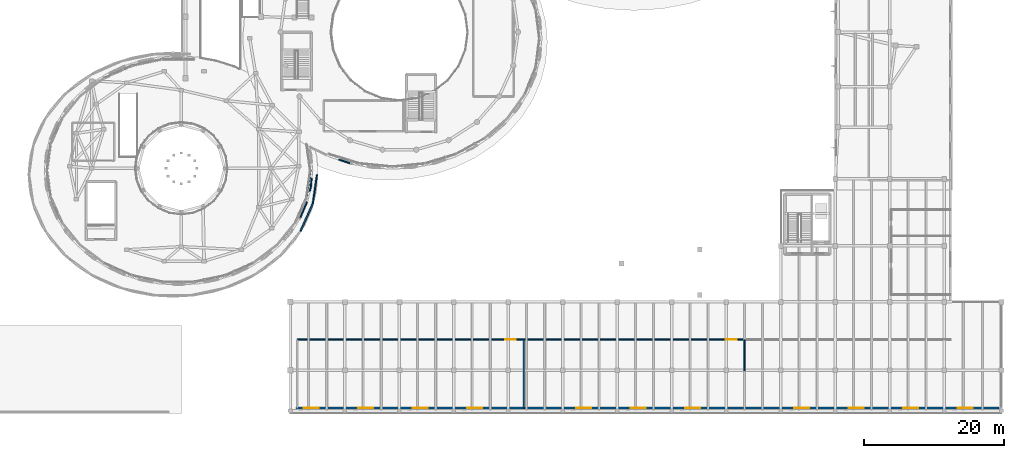
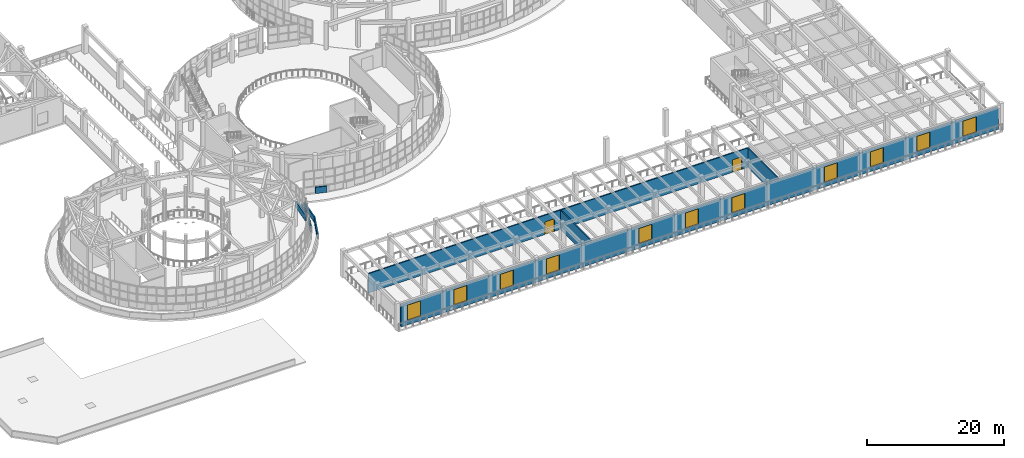
# One storey, part 72 of 98: 12 walls, 11 windows, 2 doors, 13 openings.
"""IFC4 building model written with IfcOpenShell, lengths in metres."""

from ifc_helpers import new_model, si_unit, direction, frame, frame_2d, origin, place, context, subcontext, project, spatial, rectangle, extrude, material, layer, layer_set, type_object, element, fill, save


model = new_model("IFC4")

# Units and contexts
model_context = context("Model", 3, precision=1e-05, world=origin(), true_north=direction((0.0, 1.0)))
body_context = subcontext(model_context, "Body", "Model", "MODEL_VIEW")
ifc_project = project(units=[si_unit("LENGTHUNIT", "METRE"), si_unit("AREAUNIT", "SQUARE_METRE"), si_unit("VOLUMEUNIT", "CUBIC_METRE"), si_unit("PLANEANGLEUNIT", "RADIAN"), si_unit("MASSUNIT", "GRAM", prefix="KILO")], contexts=[model_context])

# Site, building, storey
site_placement = place(None, origin())
site = spatial("IfcSite", under=ifc_project, at=site_placement, CompositionType="ELEMENT")
building_placement = place(site_placement, origin())
building = spatial("IfcBuilding", under=site, at=building_placement, Name="Pelvatis Terrace Science Centre", CompositionType="ELEMENT")
storey_placement = place(building_placement, frame((0.0, 0.0, 5.39990234375)))
storey = spatial("IfcBuildingStorey", under=building, at=storey_placement, Name="L01", CompositionType="ELEMENT", Elevation=5.39990234375)

# Wall, openings, windows
ifc_material_1 = material(Name="Precast concrete C35/45 architectural stone", Category="masonry")
ifc_layer_1 = layer(ifc_material_1, 0.340087890625)
ifc_layer_set_1 = layer_set([ifc_layer_1], Name="Precast concrete C35/45 architectural stone")
wall_type_1 = type_object("IfcWallType", Name="WL-EXT-PREC-340", PredefinedType="SOLIDWALL", material=ifc_layer_set_1)
wall_1_placement = place(storey_placement, frame((63.199951171875, 0.800048828125, 0.0), z_axis=(0.0, 0.0, 1.0), x_axis=(1.0, 0.0, 0.0)))
wall_1 = element("IfcWall", 1, at=wall_1_placement, inside=storey, type_object=wall_type_1, Name="Exterior classical Art Deco facade wall EW-L01-S", PredefinedType="SOLIDWALL", context=body_context, shape_type="SweptSolid", body=[
    extrude(rectangle(XDim=100.60009765625, YDim=0.340087890625, at=frame_2d((50.300048828125, 0.0))), origin(), (0.0, 0.0, 1.0), 3.860107421875),
])
opening_1_placement = place(wall_1_placement, frame((1.10009765625, 0.0, 0.780029296875)))
opening_1 = element("IfcOpeningElement", 2, at=opening_1_placement, cuts=wall_1, Name="Opening W-011", PredefinedType="OPENING", context=body_context, shape_type="SweptSolid", body=[
    extrude(rectangle(XDim=2.199951171875, YDim=2.75, at=frame_2d((1.10009765625, 1.375))), frame((0.0, 0.179931640625, 0.0), z_axis=(0.0, -1.0, 0.0), x_axis=(1.0, 0.0, 0.0)), (0.0, 0.0, 1.0), 0.360107421875),
])
opening_2_placement = place(wall_1_placement, frame((8.89990234375, 0.0, 0.780029296875)))
opening_2 = element("IfcOpeningElement", 3, at=opening_2_placement, cuts=wall_1, Name="Opening W-012", PredefinedType="OPENING", context=body_context, shape_type="SweptSolid", body=[
    extrude(rectangle(XDim=2.199951171875, YDim=2.75, at=frame_2d((1.10009765625, 1.375))), frame((0.0, 0.179931640625, 0.0), z_axis=(0.0, -1.0, 0.0), x_axis=(1.0, 0.0, 0.0)), (0.0, 0.0, 1.0), 0.360107421875),
])
opening_3_placement = place(wall_1_placement, frame((16.699951171875, 0.0, 0.780029296875)))
opening_3 = element("IfcOpeningElement", 4, at=opening_3_placement, cuts=wall_1, Name="Opening W-013", PredefinedType="OPENING", context=body_context, shape_type="SweptSolid", body=[
    extrude(rectangle(XDim=2.199951171875, YDim=2.75, at=frame_2d((1.10009765625, 1.375))), frame((0.0, 0.179931640625, 0.0), z_axis=(0.0, -1.0, 0.0), x_axis=(1.0, 0.0, 0.0)), (0.0, 0.0, 1.0), 0.360107421875),
])
opening_4_placement = place(wall_1_placement, frame((24.5, 0.0, 0.780029296875)))
opening_4 = element("IfcOpeningElement", 5, at=opening_4_placement, cuts=wall_1, Name="Opening W-014", PredefinedType="OPENING", context=body_context, shape_type="SweptSolid", body=[
    extrude(rectangle(XDim=2.199951171875, YDim=2.75, at=frame_2d((1.10009765625, 1.375))), frame((0.0, 0.179931640625, 0.0), z_axis=(0.0, -1.0, 0.0), x_axis=(1.0, 0.0, 0.0)), (0.0, 0.0, 1.0), 0.360107421875),
])
opening_5_placement = place(wall_1_placement, frame((40.10009765625, 0.0, 0.780029296875)))
opening_5 = element("IfcOpeningElement", 6, at=opening_5_placement, cuts=wall_1, Name="Opening W-015", PredefinedType="OPENING", context=body_context, shape_type="SweptSolid", body=[
    extrude(rectangle(XDim=2.199951171875, YDim=2.75, at=frame_2d((1.10009765625, 1.375))), frame((0.0, 0.179931640625, 0.0), z_axis=(0.0, -1.0, 0.0), x_axis=(1.0, 0.0, 0.0)), (0.0, 0.0, 1.0), 0.360107421875),
])
opening_6_placement = place(wall_1_placement, frame((47.89990234375, 0.0, 0.780029296875)))
opening_6 = element("IfcOpeningElement", 7, at=opening_6_placement, cuts=wall_1, Name="Opening W-016", PredefinedType="OPENING", context=body_context, shape_type="SweptSolid", body=[
    extrude(rectangle(XDim=2.199951171875, YDim=2.75, at=frame_2d((1.10009765625, 1.375))), frame((0.0, 0.179931640625, 0.0), z_axis=(0.0, -1.0, 0.0), x_axis=(1.0, 0.0, 0.0)), (0.0, 0.0, 1.0), 0.360107421875),
])
opening_7_placement = place(wall_1_placement, frame((55.699951171875, 0.0, 0.780029296875)))
opening_7 = element("IfcOpeningElement", 8, at=opening_7_placement, cuts=wall_1, Name="Opening W-017", PredefinedType="OPENING", context=body_context, shape_type="SweptSolid", body=[
    extrude(rectangle(XDim=2.199951171875, YDim=2.75, at=frame_2d((1.10009765625, 1.375))), frame((0.0, 0.179931640625, 0.0), z_axis=(0.0, -1.0, 0.0), x_axis=(1.0, 0.0, 0.0)), (0.0, 0.0, 1.0), 0.360107421875),
])
opening_8_placement = place(wall_1_placement, frame((71.300048828125, 0.0, 0.780029296875)))
opening_8 = element("IfcOpeningElement", 9, at=opening_8_placement, cuts=wall_1, Name="Opening W-018", PredefinedType="OPENING", context=body_context, shape_type="SweptSolid", body=[
    extrude(rectangle(XDim=2.199951171875, YDim=2.75, at=frame_2d((1.10009765625, 1.375))), frame((0.0, 0.179931640625, 0.0), z_axis=(0.0, -1.0, 0.0), x_axis=(1.0, 0.0, 0.0)), (0.0, 0.0, 1.0), 0.360107421875),
])
opening_9_placement = place(wall_1_placement, frame((79.10009765625, 0.0, 0.780029296875)))
opening_9 = element("IfcOpeningElement", 10, at=opening_9_placement, cuts=wall_1, Name="Opening W-019", PredefinedType="OPENING", context=body_context, shape_type="SweptSolid", body=[
    extrude(rectangle(XDim=2.199951171875, YDim=2.75, at=frame_2d((1.10009765625, 1.375))), frame((0.0, 0.179931640625, 0.0), z_axis=(0.0, -1.0, 0.0), x_axis=(1.0, 0.0, 0.0)), (0.0, 0.0, 1.0), 0.360107421875),
])
opening_10_placement = place(wall_1_placement, frame((86.89990234375, 0.0, 0.780029296875)))
opening_10 = element("IfcOpeningElement", 11, at=opening_10_placement, cuts=wall_1, Name="Opening W-020", PredefinedType="OPENING", context=body_context, shape_type="SweptSolid", body=[
    extrude(rectangle(XDim=2.199951171875, YDim=2.75, at=frame_2d((1.10009765625, 1.375))), frame((0.0, 0.179931640625, 0.0), z_axis=(0.0, -1.0, 0.0), x_axis=(1.0, 0.0, 0.0)), (0.0, 0.0, 1.0), 0.360107421875),
])
opening_11_placement = place(wall_1_placement, frame((94.699951171875, 0.0, 0.780029296875)))
opening_11 = element("IfcOpeningElement", 12, at=opening_11_placement, cuts=wall_1, Name="Opening W-021", PredefinedType="OPENING", context=body_context, shape_type="SweptSolid", body=[
    extrude(rectangle(XDim=2.199951171875, YDim=2.75, at=frame_2d((1.10009765625, 1.375))), frame((0.0, 0.179931640625, 0.0), z_axis=(0.0, -1.0, 0.0), x_axis=(1.0, 0.0, 0.0)), (0.0, 0.0, 1.0), 0.360107421875),
])
ifc_material_2 = material(Name="Bronze-anodised aluminium and laminated low-e glass", Category="aluminium")
window_type = type_object("IfcWindowType", Name="WIN-AD-2200x2750", PartitioningType="SINGLE_PANEL", PredefinedType="WINDOW", material=ifc_material_2)
window_1_placement = place(opening_1_placement, origin())
window_1 = element("IfcWindow", 13, at=window_1_placement, inside=storey, type_object=window_type, Name="Art Deco facade window W-011 (L01)", OverallHeight=2.75, OverallWidth=2.199951171875, PartitioningType="SINGLE_PANEL", PredefinedType="WINDOW", context=body_context, shape_type="SweptSolid", body=[
    extrude(rectangle(XDim=2.199951171875, YDim=2.75, at=frame_2d((1.10009765625, 1.375))), frame((0.0, 0.030029296875, 0.0), z_axis=(0.0, -1.0, 0.0), x_axis=(1.0, 0.0, 0.0)), (0.0, 0.0, 1.0), 0.06005859375),
])
fill(opening_1, window_1)
window_2_placement = place(opening_2_placement, origin())
window_2 = element("IfcWindow", 14, at=window_2_placement, inside=storey, type_object=window_type, Name="Art Deco facade window W-012 (L01)", OverallHeight=2.75, OverallWidth=2.199951171875, PartitioningType="SINGLE_PANEL", PredefinedType="WINDOW", context=body_context, shape_type="SweptSolid", body=[
    extrude(rectangle(XDim=2.199951171875, YDim=2.75, at=frame_2d((1.10009765625, 1.375))), frame((0.0, 0.030029296875, 0.0), z_axis=(0.0, -1.0, 0.0), x_axis=(1.0, 0.0, 0.0)), (0.0, 0.0, 1.0), 0.06005859375),
])
fill(opening_2, window_2)
window_3_placement = place(opening_3_placement, origin())
window_3 = element("IfcWindow", 15, at=window_3_placement, inside=storey, type_object=window_type, Name="Art Deco facade window W-013 (L01)", OverallHeight=2.75, OverallWidth=2.199951171875, PartitioningType="SINGLE_PANEL", PredefinedType="WINDOW", context=body_context, shape_type="SweptSolid", body=[
    extrude(rectangle(XDim=2.199951171875, YDim=2.75, at=frame_2d((1.10009765625, 1.375))), frame((0.0, 0.030029296875, 0.0), z_axis=(0.0, -1.0, 0.0), x_axis=(1.0, 0.0, 0.0)), (0.0, 0.0, 1.0), 0.06005859375),
])
fill(opening_3, window_3)
window_4_placement = place(opening_4_placement, origin())
window_4 = element("IfcWindow", 16, at=window_4_placement, inside=storey, type_object=window_type, Name="Art Deco facade window W-014 (L01)", OverallHeight=2.75, OverallWidth=2.199951171875, PartitioningType="SINGLE_PANEL", PredefinedType="WINDOW", context=body_context, shape_type="SweptSolid", body=[
    extrude(rectangle(XDim=2.199951171875, YDim=2.75, at=frame_2d((1.10009765625, 1.375))), frame((0.0, 0.030029296875, 0.0), z_axis=(0.0, -1.0, 0.0), x_axis=(1.0, 0.0, 0.0)), (0.0, 0.0, 1.0), 0.06005859375),
])
fill(opening_4, window_4)
window_5_placement = place(opening_5_placement, origin())
window_5 = element("IfcWindow", 17, at=window_5_placement, inside=storey, type_object=window_type, Name="Art Deco facade window W-015 (L01)", OverallHeight=2.75, OverallWidth=2.199951171875, PartitioningType="SINGLE_PANEL", PredefinedType="WINDOW", context=body_context, shape_type="SweptSolid", body=[
    extrude(rectangle(XDim=2.199951171875, YDim=2.75, at=frame_2d((1.10009765625, 1.375))), frame((0.0, 0.030029296875, 0.0), z_axis=(0.0, -1.0, 0.0), x_axis=(1.0, 0.0, 0.0)), (0.0, 0.0, 1.0), 0.06005859375),
])
fill(opening_5, window_5)
window_6_placement = place(opening_6_placement, origin())
window_6 = element("IfcWindow", 18, at=window_6_placement, inside=storey, type_object=window_type, Name="Art Deco facade window W-016 (L01)", OverallHeight=2.75, OverallWidth=2.199951171875, PartitioningType="SINGLE_PANEL", PredefinedType="WINDOW", context=body_context, shape_type="SweptSolid", body=[
    extrude(rectangle(XDim=2.199951171875, YDim=2.75, at=frame_2d((1.10009765625, 1.375))), frame((0.0, 0.030029296875, 0.0), z_axis=(0.0, -1.0, 0.0), x_axis=(1.0, 0.0, 0.0)), (0.0, 0.0, 1.0), 0.06005859375),
])
fill(opening_6, window_6)
window_7_placement = place(opening_7_placement, origin())
window_7 = element("IfcWindow", 19, at=window_7_placement, inside=storey, type_object=window_type, Name="Art Deco facade window W-017 (L01)", OverallHeight=2.75, OverallWidth=2.199951171875, PartitioningType="SINGLE_PANEL", PredefinedType="WINDOW", context=body_context, shape_type="SweptSolid", body=[
    extrude(rectangle(XDim=2.199951171875, YDim=2.75, at=frame_2d((1.10009765625, 1.375))), frame((0.0, 0.030029296875, 0.0), z_axis=(0.0, -1.0, 0.0), x_axis=(1.0, 0.0, 0.0)), (0.0, 0.0, 1.0), 0.06005859375),
])
fill(opening_7, window_7)
window_8_placement = place(opening_8_placement, origin())
window_8 = element("IfcWindow", 20, at=window_8_placement, inside=storey, type_object=window_type, Name="Art Deco facade window W-018 (L01)", OverallHeight=2.75, OverallWidth=2.199951171875, PartitioningType="SINGLE_PANEL", PredefinedType="WINDOW", context=body_context, shape_type="SweptSolid", body=[
    extrude(rectangle(XDim=2.199951171875, YDim=2.75, at=frame_2d((1.10009765625, 1.375))), frame((0.0, 0.030029296875, 0.0), z_axis=(0.0, -1.0, 0.0), x_axis=(1.0, 0.0, 0.0)), (0.0, 0.0, 1.0), 0.06005859375),
])
fill(opening_8, window_8)
window_9_placement = place(opening_9_placement, origin())
window_9 = element("IfcWindow", 21, at=window_9_placement, inside=storey, type_object=window_type, Name="Art Deco facade window W-019 (L01)", OverallHeight=2.75, OverallWidth=2.199951171875, PartitioningType="SINGLE_PANEL", PredefinedType="WINDOW", context=body_context, shape_type="SweptSolid", body=[
    extrude(rectangle(XDim=2.199951171875, YDim=2.75, at=frame_2d((1.10009765625, 1.375))), frame((0.0, 0.030029296875, 0.0), z_axis=(0.0, -1.0, 0.0), x_axis=(1.0, 0.0, 0.0)), (0.0, 0.0, 1.0), 0.06005859375),
])
fill(opening_9, window_9)
window_10_placement = place(opening_10_placement, origin())
window_10 = element("IfcWindow", 22, at=window_10_placement, inside=storey, type_object=window_type, Name="Art Deco facade window W-020 (L01)", OverallHeight=2.75, OverallWidth=2.199951171875, PartitioningType="SINGLE_PANEL", PredefinedType="WINDOW", context=body_context, shape_type="SweptSolid", body=[
    extrude(rectangle(XDim=2.199951171875, YDim=2.75, at=frame_2d((1.10009765625, 1.375))), frame((0.0, 0.030029296875, 0.0), z_axis=(0.0, -1.0, 0.0), x_axis=(1.0, 0.0, 0.0)), (0.0, 0.0, 1.0), 0.06005859375),
])
fill(opening_10, window_10)
window_11_placement = place(opening_11_placement, origin())
window_11 = element("IfcWindow", 23, at=window_11_placement, inside=storey, type_object=window_type, Name="Art Deco facade window W-021 (L01)", OverallHeight=2.75, OverallWidth=2.199951171875, PartitioningType="SINGLE_PANEL", PredefinedType="WINDOW", context=body_context, shape_type="SweptSolid", body=[
    extrude(rectangle(XDim=2.199951171875, YDim=2.75, at=frame_2d((1.10009765625, 1.375))), frame((0.0, 0.030029296875, 0.0), z_axis=(0.0, -1.0, 0.0), x_axis=(1.0, 0.0, 0.0)), (0.0, 0.0, 1.0), 0.06005859375),
])
fill(opening_11, window_11)

# Walls
ifc_material_3 = material(Name="White architectural precast concrete C40/50 spandrel", Category="concrete")
ifc_layer_2 = layer(ifc_material_3, 0.260009765625)
ifc_layer_set_2 = layer_set([ifc_layer_2], Name="White architectural precast concrete C40/50 spandrel")
wall_type_2 = type_object("IfcWallType", Name="WL-EXT-SPND-260", PredefinedType="SOLIDWALL", material=ifc_layer_set_2)
wall_2_placement = place(storey_placement, frame((64.702392578125, 30.958984375, 0.0), z_axis=(0.0, 0.0, 1.0), x_axis=(0.141139449152, 0.989989725145, 0.0)))
element("IfcWall", 24, at=wall_2_placement, inside=storey, type_object=wall_type_2, Name="V3 white spiral spandrel band 26 (L01)", PredefinedType="SOLIDWALL", context=body_context, shape_type="SweptSolid", body=[
    extrude(rectangle(XDim=3.8798828125, YDim=0.260009765625, at=frame_2d((1.93994140625, 0.0))), origin(), (0.0, 0.0, 1.0), 1.02001953125),
])
ifc_material_4 = material(Name="Moisture-resistant laboratory partition", Category="masonry")
ifc_layer_3 = layer(ifc_material_4, 0.175048828125)
ifc_layer_set_3 = layer_set([ifc_layer_3], Name="Moisture-resistant laboratory partition")
wall_type_3 = type_object("IfcWallType", Name="WL-INT-LAB-175", PredefinedType="PARTITIONING", material=ifc_layer_set_3)
wall_3_placement = place(storey_placement, frame((95.800048828125, 0.800048828125, 0.0), z_axis=(0.0, 0.0, 1.0), x_axis=(0.0, 1.0, 0.0)))
element("IfcWall", 25, at=wall_3_placement, inside=storey, type_object=wall_type_3, Name="Wet Biology and Microscopy Teaching Laboratory 1 partition wall E", PredefinedType="PARTITIONING", context=body_context, shape_type="SweptSolid", body=[
    extrude(rectangle(XDim=9.800048828125, YDim=0.175048828125, at=frame_2d((4.89990234375, 0.0))), origin(), (0.0, 0.0, 1.0), 3.4501953125),
])

# Wall, opening, door
wall_4_placement = place(storey_placement, frame((95.800048828125, 10.60009765625, 0.0), z_axis=(0.0, 0.0, 1.0), x_axis=(-1.0, 0.0, 0.0)))
wall_4 = element("IfcWall", 26, at=wall_4_placement, inside=storey, type_object=wall_type_3, Name="Wet Biology and Microscopy Teaching Laboratory 1 partition wall N", PredefinedType="PARTITIONING", context=body_context, shape_type="SweptSolid", body=[
    extrude(rectangle(XDim=32.400146484375, YDim=0.175048828125, at=frame_2d((16.2001953125, 0.0))), origin(), (0.0, 0.0, 1.0), 3.4501953125),
])
opening_12_placement = place(wall_4_placement, frame((1.10107421875, 0.0, 0.0)))
opening_12 = element("IfcOpeningElement", 27, at=opening_12_placement, cuts=wall_4, Name="Opening D-194", PredefinedType="OPENING", context=body_context, shape_type="SweptSolid", body=[
    extrude(rectangle(XDim=1.550048828125, YDim=2.25, at=frame_2d((0.77490234375, 1.125))), frame((0.0, 0.097412109375, 0.0), z_axis=(0.0, -1.0, 0.0), x_axis=(1.0, 0.0, 0.0)), (0.0, 0.0, 1.0), 0.195068359375),
])
ifc_material_5 = material(Name="Leaf-and-a-half laboratory equipment fire door", Category="wood")
door_type = type_object("IfcDoorType", Name="DR-LAB-1550x2250", OperationType="NOTDEFINED", PredefinedType="DOOR", material=ifc_material_5)
door_1_placement = place(opening_12_placement, origin())
door_1 = element("IfcDoor", 28, at=door_1_placement, inside=storey, type_object=door_type, Name="Wet Biology and Microscopy Teaching Laboratory 1 entrance door", OperationType="DOUBLE_DOOR_SINGLE_SWING", OverallHeight=2.25, OverallWidth=1.550048828125, PredefinedType="DOOR", context=body_context, shape_type="SweptSolid", body=[
    extrude(rectangle(XDim=1.550048828125, YDim=2.25, at=frame_2d((0.77490234375, 1.125))), frame((0.0, 0.02490234375, 0.0), z_axis=(0.0, -1.0, 0.0), x_axis=(1.0, 0.0, 0.0)), (0.0, 0.0, 1.0), 0.050048828125),
])
fill(opening_12, door_1)

# Wall
wall_5_placement = place(storey_placement, frame((127.39990234375, 0.800048828125, 0.0), z_axis=(0.0, 0.0, 1.0), x_axis=(0.0, 1.0, 0.0)))
element("IfcWall", 29, at=wall_5_placement, inside=storey, type_object=wall_type_3, Name="Wet Chemistry and Analytical Science Laboratory 2 partition wall E", PredefinedType="PARTITIONING", context=body_context, shape_type="SweptSolid", body=[
    extrude(rectangle(XDim=9.800048828125, YDim=0.175048828125, at=frame_2d((4.89990234375, 0.0))), origin(), (0.0, 0.0, 1.0), 3.4501953125),
])

# Wall, opening, door
wall_6_placement = place(storey_placement, frame((127.39990234375, 10.60009765625, 0.0), z_axis=(0.0, 0.0, 1.0), x_axis=(-1.0, 0.0, 0.0)))
wall_6 = element("IfcWall", 30, at=wall_6_placement, inside=storey, type_object=wall_type_3, Name="Wet Chemistry and Analytical Science Laboratory 2 partition wall N", PredefinedType="PARTITIONING", context=body_context, shape_type="SweptSolid", body=[
    extrude(rectangle(XDim=31.599853515625, YDim=0.175048828125, at=frame_2d((15.7998046875, 0.0))), origin(), (0.0, 0.0, 1.0), 3.4501953125),
])
opening_13_placement = place(wall_6_placement, frame((1.10107421875, 0.0, 0.0)))
opening_13 = element("IfcOpeningElement", 31, at=opening_13_placement, cuts=wall_6, Name="Opening D-195", PredefinedType="OPENING", context=body_context, shape_type="SweptSolid", body=[
    extrude(rectangle(XDim=1.550048828125, YDim=2.25, at=frame_2d((0.77490234375, 1.125))), frame((0.0, 0.097412109375, 0.0), z_axis=(0.0, -1.0, 0.0), x_axis=(1.0, 0.0, 0.0)), (0.0, 0.0, 1.0), 0.195068359375),
])
door_2_placement = place(opening_13_placement, origin())
door_2 = element("IfcDoor", 32, at=door_2_placement, inside=storey, type_object=door_type, Name="Wet Chemistry and Analytical Science Laboratory 2 entrance door", OperationType="DOUBLE_DOOR_SINGLE_SWING", OverallHeight=2.25, OverallWidth=1.550048828125, PredefinedType="DOOR", context=body_context, shape_type="SweptSolid", body=[
    extrude(rectangle(XDim=1.550048828125, YDim=2.25, at=frame_2d((0.77490234375, 1.125))), frame((0.0, 0.02490234375, 0.0), z_axis=(0.0, -1.0, 0.0), x_axis=(1.0, 0.0, 0.0)), (0.0, 0.0, 1.0), 0.050048828125),
])
fill(opening_13, door_2)

# Walls
ifc_material_6 = material(Name="White architectural precast concrete C40/50 spandrel parapet", Category="concrete")
ifc_layer_4 = layer(ifc_material_6, 0.18994140625)
ifc_layer_set_4 = layer_set([ifc_layer_4], Name="White architectural precast concrete C40/50 spandrel parapet")
wall_type_4 = type_object("IfcWallType", Name="WL-PAR-190", PredefinedType="PARAPET", material=ifc_layer_set_4)
wall_7_placement = place(storey_placement, frame((70.98583984375, 35.815673828125, 0.0), z_axis=(0.0, 0.0, 1.0), x_axis=(-0.95075169168, 0.309953578409, 0.0)))
element("IfcWall", 33, at=wall_7_placement, inside=storey, type_object=wall_type_4, Name="Perimeter edge closure parapet PW-EDG-L01-191", PredefinedType="PARAPET", context=body_context, shape_type="SweptSolid", body=[
    extrude(rectangle(XDim=1.718017578125, YDim=0.18994140625, at=frame_2d((0.85888671875, 0.0))), origin(), (0.0, 0.0, 1.0), 1.1201171875),
])
wall_8_placement = place(storey_placement, frame((65.44921875, 33.71728515625, 0.0), z_axis=(0.0, 0.0, 1.0), x_axis=(-0.083499670504, -0.996507804799, 0.0)))
element("IfcWall", 34, at=wall_8_placement, inside=storey, type_object=wall_type_4, Name="Perimeter edge closure parapet PW-EDG-L01-196", PredefinedType="PARAPET", context=body_context, shape_type="SweptSolid", body=[
    extrude(rectangle(XDim=1.24560546875, YDim=0.18994140625, at=frame_2d((0.622802734375, 0.0))), origin(), (0.0, 0.0, 1.0), 1.1201171875),
])
wall_9_placement = place(storey_placement, frame((65.34521484375, 32.47607421875, 0.0), z_axis=(0.0, 0.0, 1.0), x_axis=(-0.246716452153, -0.969087711323, 0.0)))
element("IfcWall", 35, at=wall_9_placement, inside=storey, type_object=wall_type_4, Name="Perimeter edge closure parapet PW-EDG-L01-197", PredefinedType="PARAPET", context=body_context, shape_type="SweptSolid", body=[
    extrude(rectangle(XDim=0.6728515625, YDim=0.18994140625, at=frame_2d((0.33642578125, 0.0))), origin(), (0.0, 0.0, 1.0), 1.1201171875),
])
wall_10_placement = place(storey_placement, frame((64.789794921875, 30.29541015625, 0.0), z_axis=(0.0, 0.0, 1.0), x_axis=(-0.394216194005, -0.919017732356, 0.0)))
element("IfcWall", 36, at=wall_10_placement, inside=storey, type_object=wall_type_4, Name="Perimeter edge closure parapet PW-EDG-L01-198", PredefinedType="PARAPET", context=body_context, shape_type="SweptSolid", body=[
    extrude(rectangle(XDim=2.48095703125, YDim=0.18994140625, at=frame_2d((1.240478515625, 0.0))), origin(), (0.0, 0.0, 1.0), 1.1201171875),
])
ifc_material_7 = material(Name="White architectural precast concrete C40/50 spandrel parapet", Category="concrete")
ifc_layer_5 = layer(ifc_material_7, 0.205078125)
ifc_layer_set_5 = layer_set([ifc_layer_5], Name="White architectural precast concrete C40/50 spandrel parapet")
wall_type_5 = type_object("IfcWallType", Name="WL-PAR-205", PredefinedType="PARAPET", material=ifc_layer_set_5)
wall_11_placement = place(storey_placement, frame((63.858154296875, 26.1044921875, 0.0), z_axis=(0.0, 0.0, 1.0), x_axis=(0.409546085012, 0.912289430089, 0.0)))
element("IfcWall", 37, at=wall_11_placement, inside=storey, type_object=wall_type_5, Name="White spiral ring parapet PW-CRV-L01-134", PredefinedType="PARAPET", context=body_context, shape_type="SweptSolid", body=[
    extrude(rectangle(XDim=4.303955078125, YDim=0.205078125, at=frame_2d((2.15185546875, 0.0))), origin(), (0.0, 0.0, 1.0), 0.920166015625),
])
wall_12_placement = place(storey_placement, frame((65.620849609375, 30.031005859375, 0.0), z_axis=(0.0, 0.0, 1.0), x_axis=(0.142249064189, 0.989830896536, 0.0)))
element("IfcWall", 38, at=wall_12_placement, inside=storey, type_object=wall_type_5, Name="White spiral ring parapet PW-CRV-L01-135", PredefinedType="PARAPET", context=body_context, shape_type="SweptSolid", body=[
    extrude(rectangle(XDim=4.211669921875, YDim=0.205078125, at=frame_2d((2.10595703125, 0.0))), origin(), (0.0, 0.0, 1.0), 0.920166015625),
])

save(model, "model.ifc")
